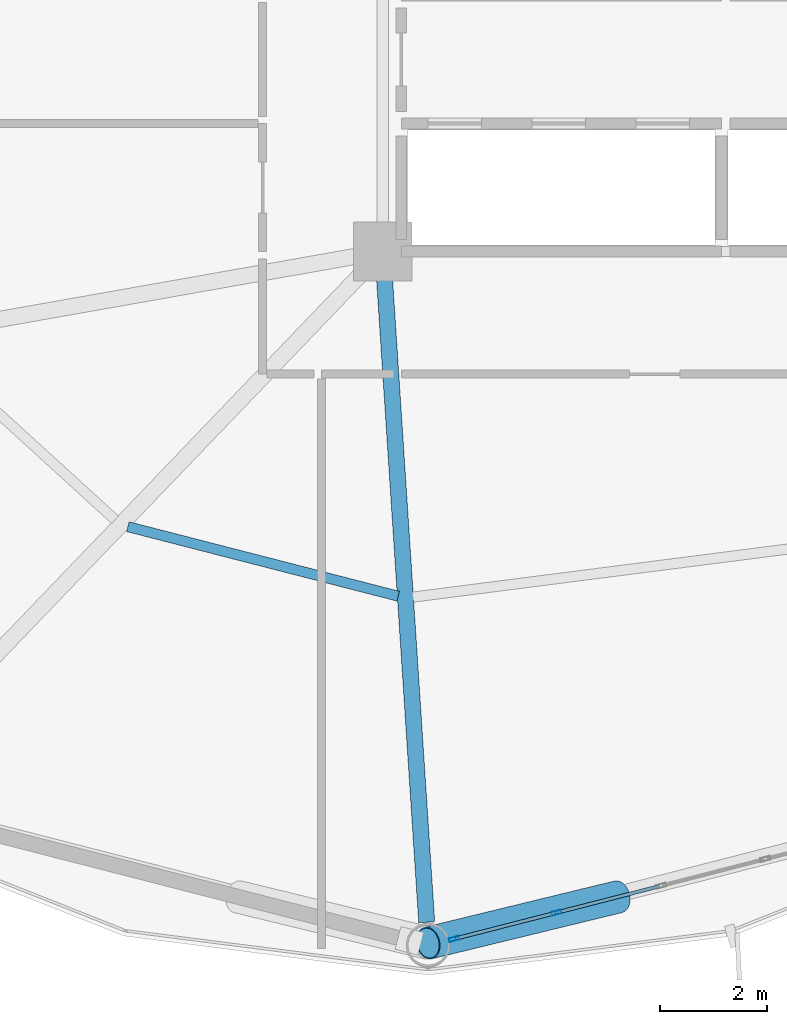
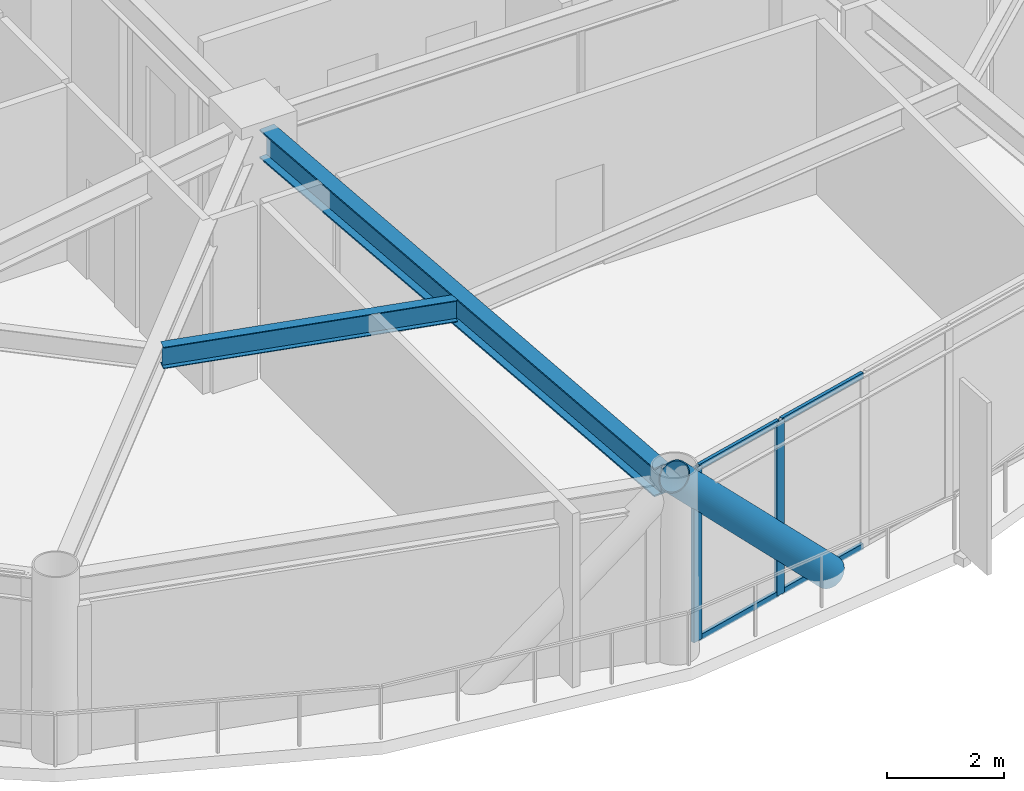
# One storey, part 5 of 23: 7 members, 2 beams, 1 element without a shape of its own.
"""IFC4 building model written with IfcOpenShell, lengths in metres."""

from ifc_helpers import new_model, si_unit, direction, frame, origin, origin_2d, place, context, subcontext, project, spatial, hollow_rectangle, hollow_circle, i_section, extrude, material, layer, layer_set, material_profile, profile_set, type_object, element, aggregate, save


model = new_model("IFC4")

# Units and contexts
model_context = context("Model", 3, precision=1e-05, world=origin(), true_north=direction((0.0, 1.0)))
body_context = subcontext(model_context, "Body", "Model", "MODEL_VIEW")
ifc_project = project(units=[si_unit("LENGTHUNIT", "METRE"), si_unit("AREAUNIT", "SQUARE_METRE"), si_unit("VOLUMEUNIT", "CUBIC_METRE"), si_unit("PLANEANGLEUNIT", "RADIAN"), si_unit("MASSUNIT", "GRAM", prefix="KILO")], contexts=[model_context])

# Site, building, storey
site_placement = place(None, origin())
site = spatial("IfcSite", under=ifc_project, at=site_placement, CompositionType="ELEMENT")
building_placement = place(site_placement, origin())
building = spatial("IfcBuilding", under=site, at=building_placement, Name="Varnakorn Sky Granary", CompositionType="ELEMENT")
storey_placement = place(building_placement, frame((0.0, 0.0, 107.10009765625)))
storey = spatial("IfcBuildingStorey", under=building, at=storey_placement, Name="L26", CompositionType="ELEMENT", Elevation=107.10009765625)

# Beams
ifc_material_1 = material(Name="Steel S355JR", Category="steel")
ifc_material_profile_1 = material_profile(ifc_material_1, i_section(OverallWidth=0.300048828125, OverallDepth=0.60009765625, WebThickness=0.015380859375, FlangeThickness=0.030029296875, at=origin_2d()), Name="HE 600 B")
ifc_profile_set_1 = profile_set([ifc_material_profile_1], Name="Steel S355JR")
beam_type_1 = type_object("IfcBeamType", Name="BM-RAD-Z2", PredefinedType="BEAM", material=ifc_profile_set_1)
beam_1_placement = place(storey_placement, frame((-2.322509765625, -7.01904296875, 3.33984375), z_axis=(0.065422772826, -0.997857635535, 0.0), x_axis=(0.997857635535, 0.065422772826, 0.0)))
element("IfcBeam", 1, at=beam_1_placement, inside=storey, type_object=beam_type_1, Name="Radial Floor Girder RG10 L26", PredefinedType="BEAM", context=body_context, shape_type="SweptSolid", body=[
    extrude(i_section(OverallWidth=0.300048828125, OverallDepth=0.60009765625, WebThickness=0.015380859375, FlangeThickness=0.030029296875, at=origin_2d()), origin(), (0.0, 0.0, 1.0), 12.180419921875),
])
ifc_material_profile_2 = material_profile(ifc_material_1, i_section(OverallWidth=0.18994140625, OverallDepth=0.449951171875, WebThickness=0.009521484375, FlangeThickness=0.0146484375, at=origin_2d()), Name="IPE 450")
ifc_profile_set_2 = profile_set([ifc_material_profile_2], Name="Steel S355JR")
beam_type_2 = type_object("IfcBeamType", Name="BM-SEC-Z2", PredefinedType="BEAM", material=ifc_profile_set_2)
beam_2_placement = place(storey_placement, frame((-7.1279296875, -11.758056640625, 3.414794921875), z_axis=(0.968496147434, -0.249028537332, 0.0), x_axis=(0.249028537332, 0.968496147434, 0.0)))
element("IfcBeam", 2, at=beam_2_placement, inside=storey, type_object=beam_type_2, Name="Secondary Floor Chord Beam MSB09 L26", PredefinedType="BEAM", context=body_context, shape_type="SweptSolid", body=[
    extrude(i_section(OverallWidth=0.18994140625, OverallDepth=0.449951171875, WebThickness=0.009521484375, FlangeThickness=0.0146484375, at=origin_2d()), origin(), (0.0, 0.0, 1.0), 5.233154296875),
])

# Curtain wall, members
ifc_material_2 = material(Name="Anodised Bronze Aluminium Alloy 6063-T6", Category="aluminium")
ifc_layer = layer(ifc_material_2, 0.179931640625, Name="Anodised Bronze Aluminium Alloy 6063-T6")
ifc_layer_set = layer_set([ifc_layer], Name="Anodised Bronze Aluminium Alloy 6063-T6")
curtain_wall_type = type_object("IfcCurtainWallType", Name="CW-FRM-2", PredefinedType="USERDEFINED", material=ifc_layer_set)
curtain_wall_placement = place(storey_placement, origin())
curtain_wall = element("IfcCurtainWall", 3, at=curtain_wall_placement, inside=storey, type_object=curtain_wall_type, Name="Unitised Curtain Wall CW4 CW-L26-B10", ObjectType="CURTAIN WALL", PredefinedType="USERDEFINED")
ifc_material_profile_3 = material_profile(ifc_material_2, hollow_rectangle(XDim=0.070068359375, YDim=0.18505859375, WallThickness=0.00390625, at=origin_2d()), Name="ALU MULL 70x185")
ifc_profile_set_3 = profile_set([ifc_material_profile_3], Name="Anodised Bronze Aluminium Alloy 6063-T6")
member_type_1 = type_object("IfcMemberType", Name="CW-FRM-2-MULL", PredefinedType="MULLION", material=ifc_profile_set_3)
member_1_placement = place(storey_placement, frame((0.9091796875, -18.993408203125, 0.0), z_axis=(0.0, 0.0, 1.0), x_axis=(0.248636297622, -0.968596919004, 0.0)))
member_1 = element("IfcMember", 4, at=member_1_placement, type_object=member_type_1, Name="CW4 mullion 5", PredefinedType="MULLION", context=body_context, shape_type="SweptSolid", body=[
    extrude(hollow_rectangle(XDim=0.070068359375, YDim=0.18505859375, WallThickness=0.00390625, at=origin_2d()), origin(), (0.0, 0.0, 1.0), 3.639892578125),
])
member_2_placement = place(storey_placement, frame((-1.014404296875, -19.4873046875, 0.0), z_axis=(0.0, 0.0, 1.0), x_axis=(0.248636297622, -0.968596919004, 0.0)))
member_2 = element("IfcMember", 5, at=member_2_placement, type_object=member_type_1, Name="CW4 mullion 6", PredefinedType="MULLION", context=body_context, shape_type="SweptSolid", body=[
    extrude(hollow_rectangle(XDim=0.070068359375, YDim=0.18505859375, WallThickness=0.00390625, at=origin_2d()), origin(), (0.0, 0.0, 1.0), 3.639892578125),
])
ifc_material_profile_4 = material_profile(ifc_material_2, hollow_rectangle(XDim=0.06494140625, YDim=0.1201171875, WallThickness=0.00341796875, at=origin_2d()), Name="ALU TRAN 65x120")
ifc_profile_set_4 = profile_set([ifc_material_profile_4], Name="Anodised Bronze Aluminium Alloy 6063-T6")
member_type_2 = type_object("IfcMemberType", Name="CW-FRM-2-TRAN", PredefinedType="USERDEFINED", material=ifc_profile_set_4)
member_3_placement = place(storey_placement, frame((2.832763671875, -18.499755859375, 0.032470703125), z_axis=(-0.968592029638, -0.248655344043, 0.0), x_axis=(0.248655344043, -0.968592029638, 0.0)))
member_3 = element("IfcMember", 6, at=member_3_placement, type_object=member_type_2, Name="CW4 transom 4.1", ObjectType="TRANSOM", PredefinedType="USERDEFINED", context=body_context, shape_type="SweptSolid", body=[
    extrude(hollow_rectangle(XDim=0.06494140625, YDim=0.1201171875, WallThickness=0.00341796875, at=origin_2d()), origin(), (0.0, 0.0, 1.0), 1.950927734375),
])
member_4_placement = place(storey_placement, frame((2.832763671875, -18.499755859375, 3.607421875), z_axis=(-0.968592029638, -0.248655344043, 0.0), x_axis=(0.248655344043, -0.968592029638, 0.0)))
member_4 = element("IfcMember", 7, at=member_4_placement, type_object=member_type_2, Name="CW4 transom 4.2", ObjectType="TRANSOM", PredefinedType="USERDEFINED", context=body_context, shape_type="SweptSolid", body=[
    extrude(hollow_rectangle(XDim=0.06494140625, YDim=0.1201171875, WallThickness=0.00341796875, at=origin_2d()), origin(), (0.0, 0.0, 1.0), 1.950927734375),
])
member_5_placement = place(storey_placement, frame((0.87548828125, -19.002197265625, 0.032470703125), z_axis=(-0.968609607034, -0.24858686442, 0.0), x_axis=(0.24858686442, -0.968609607034, 0.0)))
member_5 = element("IfcMember", 8, at=member_5_placement, type_object=member_type_2, Name="CW4 transom 5.1", ObjectType="TRANSOM", PredefinedType="USERDEFINED", context=body_context, shape_type="SweptSolid", body=[
    extrude(hollow_rectangle(XDim=0.06494140625, YDim=0.1201171875, WallThickness=0.00341796875, at=origin_2d()), origin(), (0.0, 0.0, 1.0), 1.916015625),
])
member_6_placement = place(storey_placement, frame((0.87548828125, -19.002197265625, 3.607421875), z_axis=(-0.968609607034, -0.24858686442, 0.0), x_axis=(0.24858686442, -0.968609607034, 0.0)))
member_6 = element("IfcMember", 9, at=member_6_placement, type_object=member_type_2, Name="CW4 transom 5.2", ObjectType="TRANSOM", PredefinedType="USERDEFINED", context=body_context, shape_type="SweptSolid", body=[
    extrude(hollow_rectangle(XDim=0.06494140625, YDim=0.1201171875, WallThickness=0.00341796875, at=origin_2d()), origin(), (0.0, 0.0, 1.0), 1.916015625),
])
aggregate(curtain_wall, [member_1, member_2, member_3, member_4, member_5, member_6])

# Member
ifc_material_3 = material(Name="Steel S460M", Category="steel")
ifc_material_profile_5 = material_profile(ifc_material_3, hollow_circle(Radius=0.304931640625, WallThickness=0.022216796875, at=origin_2d()), Name="CHS 610x22")
ifc_profile_set_5 = profile_set([ifc_material_profile_5], Name="Steel S460M")
member_type_3 = type_object("IfcMemberType", Name="MB-DIAG-T1", PredefinedType="BRACE", material=ifc_profile_set_5)
member_7_placement = place(storey_placement, frame((2.063720703125, -18.697265625, -0.130126953125), z_axis=(-0.67755360428, -0.164781482167, 0.716776238768), x_axis=(0.23631251107, -0.971677105376, 0.0)))
element("IfcMember", 10, at=member_7_placement, inside=storey, type_object=member_type_3, Name="Perimeter CHS Diagrid Brace DG10 L26", PredefinedType="BRACE", context=body_context, shape_type="SweptSolid", body=[
    extrude(hollow_circle(Radius=0.304931640625, WallThickness=0.022216796875, at=origin_2d()), origin(), (0.0, 0.0, 1.0), 5.259765625),
])

save(model, "model.ifc")
